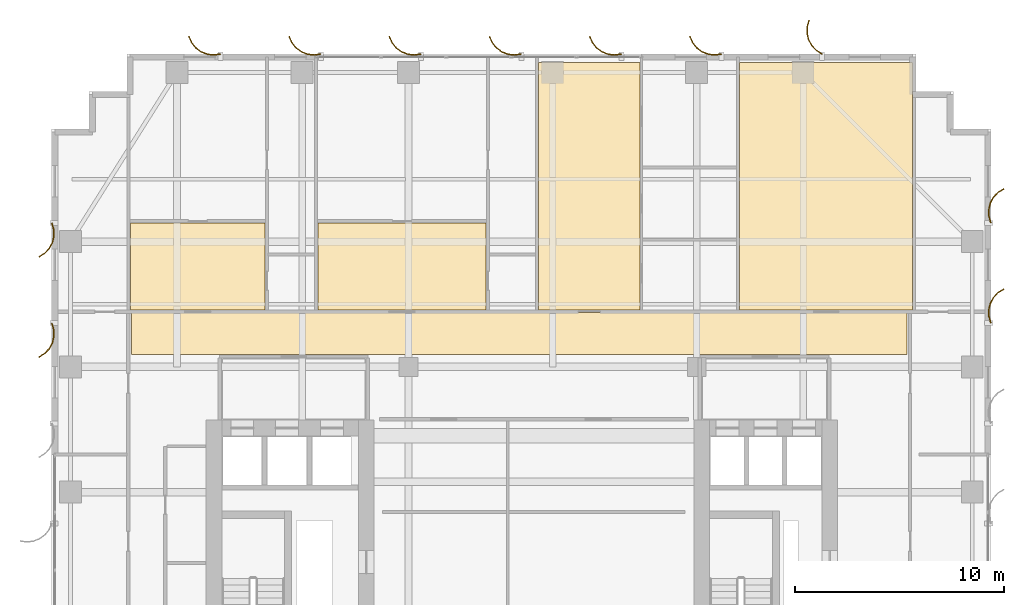
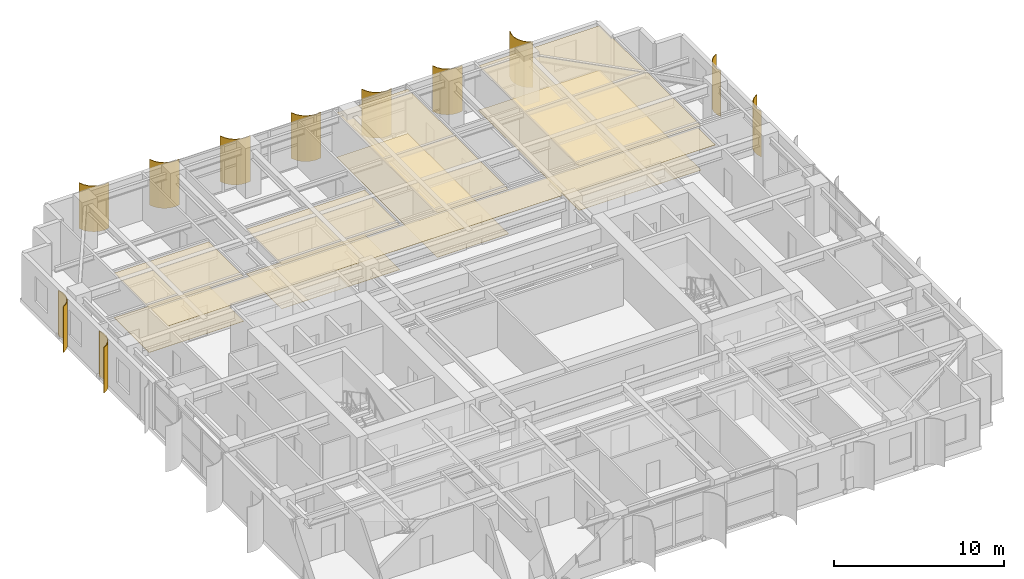
# One storey, part 22 of 22: 11 shading devices, 9 coverings.
"""IFC4 building model written with IfcOpenShell, lengths in metres."""

from ifc_helpers import new_model, si_unit, direction, frame, origin, place, context, subcontext, project, spatial, polyline, outline, extrude, source, transform, mapped, material, layer, layer_set, type_object, element, save


model = new_model("IFC4")

# Units and contexts
model_context = context("Model", 3, precision=1e-05, world=origin(), true_north=direction((0.0, 1.0)))
body_context = subcontext(model_context, "Body", "Model", "MODEL_VIEW")
ifc_project = project(units=[si_unit("LENGTHUNIT", "METRE"), si_unit("AREAUNIT", "SQUARE_METRE"), si_unit("VOLUMEUNIT", "CUBIC_METRE"), si_unit("PLANEANGLEUNIT", "RADIAN"), si_unit("MASSUNIT", "GRAM", prefix="KILO")], contexts=[model_context])

# Site, building, storey
site_placement = place(None, origin())
site = spatial("IfcSite", under=ifc_project, at=site_placement, CompositionType="ELEMENT")
building_placement = place(site_placement, origin())
building = spatial("IfcBuilding", under=site, at=building_placement, Name="Khoralis Quay Care Tower", CompositionType="ELEMENT")
storey_placement = place(building_placement, frame((0.0, 0.0, 98.10009765625)))
storey = spatial("IfcBuildingStorey", under=building, at=storey_placement, Name="L25", CompositionType="ELEMENT", Elevation=98.10009765625)

# Coverings
ifc_material_1 = material(Name="Mineral-fibre acoustic ceiling tile")
ifc_layer_1 = layer(ifc_material_1, 0.01806640625)
ifc_layer_set_1 = layer_set([ifc_layer_1], Name="Mineral-fibre acoustic ceiling tile")
covering_type_1 = type_object("IfcCoveringType", Name="COV-CEIL-AC18", PredefinedType="CEILING", material=ifc_layer_set_1)
covering_1_placement = place(storey_placement, frame((0.0, 0.0, 3.19189453125)))
element("IfcCovering", 1, at=covering_1_placement, inside=storey, type_object=covering_type_1, Name="Suspended Acoustic Ceiling SP-L25-CORR-N", PredefinedType="CEILING", context=body_context, shape_type="SweptSolid", body=[
    extrude(outline(polyline([(3.820068359375, 30.590087890625), (40.97998046875, 30.590087890625), (40.97998046875, 32.60009765625), (3.820068359375, 32.60009765625), (3.820068359375, 30.590087890625)])), origin(), (0.0, 0.0, 1.0), 0.01806640625),
])
covering_2_placement = place(storey_placement, frame((0.0, 0.0, 3.19189453125)))
element("IfcCovering", 2, at=covering_2_placement, inside=storey, type_object=covering_type_1, Name="Suspended Acoustic Ceiling SP-L25-NB-CARE0", PredefinedType="CEILING", context=body_context, shape_type="SweptSolid", body=[
    extrude(outline(polyline([(3.780029296875, 32.739990234375), (10.2099609375, 32.739990234375), (10.2099609375, 36.889892578125), (3.780029296875, 36.889892578125), (3.780029296875, 32.739990234375)])), origin(), (0.0, 0.0, 1.0), 0.01806640625),
])
covering_3_placement = place(storey_placement, frame((0.0, 0.0, 3.19189453125)))
element("IfcCovering", 3, at=covering_3_placement, inside=storey, type_object=covering_type_1, Name="Suspended Acoustic Ceiling SP-L25-NB-CARE1", PredefinedType="CEILING", context=body_context, shape_type="SweptSolid", body=[
    extrude(outline(polyline([(12.760009765625, 32.739990234375), (20.800048828125, 32.739990234375), (20.800048828125, 36.889892578125), (12.760009765625, 36.889892578125), (12.760009765625, 32.739990234375)])), origin(), (0.0, 0.0, 1.0), 0.01806640625),
])
covering_4_placement = place(storey_placement, frame((0.0, 0.0, 3.19189453125)))
element("IfcCovering", 4, at=covering_4_placement, inside=storey, type_object=covering_type_1, Name="Suspended Acoustic Ceiling SP-L25-NB-LIV2", PredefinedType="CEILING", context=body_context, shape_type="SweptSolid", body=[
    extrude(outline(polyline([(23.330078125, 32.719970703125), (28.177978515625, 32.719970703125), (28.177978515625, 44.580078125), (23.330078125, 44.580078125), (23.330078125, 32.719970703125)])), origin(), (0.0, 0.0, 1.0), 0.01806640625),
])
covering_5_placement = place(storey_placement, frame((0.0, 0.0, 3.19189453125)))
element("IfcCovering", 5, at=covering_5_placement, inside=storey, type_object=covering_type_1, Name="Suspended Acoustic Ceiling SP-L25-NB-COM3", PredefinedType="CEILING", context=body_context, shape_type="SweptSolid", body=[
    extrude(outline(polyline([(32.9599609375, 32.719970703125), (41.239990234375, 32.719970703125), (41.239990234375, 44.580078125), (32.9599609375, 44.580078125), (32.9599609375, 32.719970703125)])), origin(), (0.0, 0.0, 1.0), 0.01806640625),
])
ifc_material_2 = material(Name="Porcelain and non-slip vinyl flooring")
ifc_layer_2 = layer(ifc_material_2, 0.02001953125)
ifc_layer_set_2 = layer_set([ifc_layer_2], Name="Porcelain and non-slip vinyl flooring")
covering_type_2 = type_object("IfcCoveringType", Name="COV-FLOOR-20", PredefinedType="FLOORING", material=ifc_layer_set_2)
covering_6_placement = place(storey_placement, origin())
element("IfcCovering", 6, at=covering_6_placement, inside=storey, type_object=covering_type_2, Name="Resilient Healthcare Flooring SP-L25-NB-CARE0", PredefinedType="FLOORING", context=body_context, shape_type="SweptSolid", body=[
    extrude(outline(polyline([(3.780029296875, 32.739990234375), (10.2099609375, 32.739990234375), (10.2099609375, 36.889892578125), (3.780029296875, 36.889892578125), (3.780029296875, 32.739990234375)])), origin(), (0.0, 0.0, 1.0), 0.02001953125),
])
covering_7_placement = place(storey_placement, origin())
element("IfcCovering", 7, at=covering_7_placement, inside=storey, type_object=covering_type_2, Name="Resilient Healthcare Flooring SP-L25-NB-CARE1", PredefinedType="FLOORING", context=body_context, shape_type="SweptSolid", body=[
    extrude(outline(polyline([(12.760009765625, 32.739990234375), (20.800048828125, 32.739990234375), (20.800048828125, 36.889892578125), (12.760009765625, 36.889892578125), (12.760009765625, 32.739990234375)])), origin(), (0.0, 0.0, 1.0), 0.02001953125),
])
covering_8_placement = place(storey_placement, origin())
element("IfcCovering", 8, at=covering_8_placement, inside=storey, type_object=covering_type_2, Name="Resilient Healthcare Flooring SP-L25-NB-LIV2", PredefinedType="FLOORING", context=body_context, shape_type="SweptSolid", body=[
    extrude(outline(polyline([(23.330078125, 32.719970703125), (28.177978515625, 32.719970703125), (28.177978515625, 44.580078125), (23.330078125, 44.580078125), (23.330078125, 32.719970703125)])), origin(), (0.0, 0.0, 1.0), 0.02001953125),
])
covering_9_placement = place(storey_placement, origin())
element("IfcCovering", 9, at=covering_9_placement, inside=storey, type_object=covering_type_2, Name="Resilient Healthcare Flooring SP-L25-NB-COM3", PredefinedType="FLOORING", context=body_context, shape_type="SweptSolid", body=[
    extrude(outline(polyline([(32.9599609375, 32.719970703125), (41.239990234375, 32.719970703125), (41.239990234375, 44.580078125), (32.9599609375, 44.580078125), (32.9599609375, 32.719970703125)])), origin(), (0.0, 0.0, 1.0), 0.02001953125),
])

# Shading devices
ifc_material_3 = material(Name="Brushed pale anodised aluminium", Category="aluminium")
ifc_layer_3 = layer(ifc_material_3, 0.044921875)
ifc_layer_set_3 = layer_set([ifc_layer_3], Name="Brushed pale anodised aluminium")
shading_device_type = type_object("IfcShadingDeviceType", Name="SHD-FIN-1250", PredefinedType="USERDEFINED", material=ifc_layer_set_3)
shared_shape_1 = source(origin(), body_context, "Body", "SweptSolid", [
    extrude(outline(polyline([(0.0, 0.0), (0.17041015625, 0.2783203125), (0.4072265625, 0.5029296875), (0.694091796875, 0.658447265625), (1.01123046875, 0.734619140625), (1.33740234375, 0.72607421875), (1.650390625, 0.633544921875), (1.632080078125, 0.59228515625), (1.330322265625, 0.681640625), (1.015869140625, 0.68994140625), (0.710205078125, 0.616455078125), (0.43359375, 0.466552734375), (0.20556640625, 0.25), (0.041015625, -0.018310546875), (0.0, 0.0)])), origin(), (0.0, 0.0, 1.0), 3.27978515625),
])
shading_device_placement = place(storey_placement, frame((36.89990234375, 44.969970703125, 0.02001953125), z_axis=(0.0, 0.0, 1.0), x_axis=(0.0, 1.0, 0.0)))
element("IfcShadingDevice", 10, at=shading_device_placement, inside=storey, type_object=shading_device_type, Name="L25 Curved Solar Fin P1E10-01", ObjectType="FIN", PredefinedType="USERDEFINED", context=body_context, shape_type="MappedRepresentation", body=[
    mapped(shared_shape_1, transform((0.0, 0.0, 0.0), scale=1.0)),
])
shared_shape_2 = source(origin(), body_context, "Body", "SweptSolid", [
    extrude(outline(polyline([(0.0, 0.0), (-0.04833984375, 0.32275390625), (-0.01123046875, 0.64697265625), (0.1083984375, 0.950439453125), (0.302490234375, 1.212890625), (0.557861328125, 1.416015625), (0.85693359375, 1.546142578125), (0.869384765625, 1.5029296875), (0.5810546875, 1.37744140625), (0.334716796875, 1.181640625), (0.147705078125, 0.9287109375), (0.032470703125, 0.635986328125), (-0.003173828125, 0.323486328125), (0.043212890625, 0.012451171875), (0.0, 0.0)])), origin(), (0.0, 0.0, 1.0), 3.27978515625),
])
for number, where, z_axis, x_axis, name in (
    (11, (32.10009765625, 44.969970703125, 0.02001953125), (0.0, 0.0, 1.0), (0.0, 1.0, 0.0), "L25 Curved Solar Fin P1E10-02"),
    (12, (27.300048828125, 44.969970703125, 0.02001953125), (0.0, 0.0, 1.0), (0.0, 1.0, 0.0), "L25 Curved Solar Fin P1E10-03"),
    (13, (22.5, 44.969970703125, 0.02001953125), (0.0, 0.0, 1.0), (0.0, 1.0, 0.0), "L25 Curved Solar Fin P1E10-04"),
    (14, (17.699951171875, 44.969970703125, 0.02001953125), (0.0, 0.0, 1.0), (0.0, 1.0, 0.0), "L25 Curved Solar Fin P1E10-05"),
    (15, (12.89990234375, 44.969970703125, 0.02001953125), (0.0, 0.0, 1.0), (0.0, 1.0, 0.0), "L25 Curved Solar Fin P1E10-06"),
    (16, (8.10009765625, 44.969970703125, 0.02001953125), (0.0, 0.0, 1.0), (0.0, 1.0, 0.0), "L25 Curved Solar Fin P1E10-07"),
):
    element("IfcShadingDevice", number, at=place(storey_placement, frame(where, z_axis=z_axis, x_axis=x_axis)), inside=storey, type_object=shading_device_type, Name=name, ObjectType="FIN", PredefinedType="USERDEFINED", context=body_context, shape_type="MappedRepresentation", body=[
        mapped(shared_shape_2, transform((0.0, 0.0, 0.0), scale=1.0)),
    ])
shared_shape_3 = source(origin(), body_context, "Body", "SweptSolid", [
    extrude(outline(polyline([(0.0, 0.0), (-0.0927734375, 0.31298828125), (-0.101318359375, 0.63916015625), (-0.025146484375, 0.956298828125), (0.130615234375, 1.2431640625), (0.355224609375, 1.479736328125), (0.633544921875, 1.650390625), (0.65185546875, 1.609130859375), (0.383544921875, 1.44482421875), (0.1669921875, 1.216796875), (0.01708984375, 0.940185546875), (-0.056396484375, 0.63427734375), (-0.04833984375, 0.31982421875), (0.041015625, 0.018310546875), (0.0, 0.0)])), origin(), (0.0, 0.0, 1.0), 3.27978515625),
])
for number, where, z_axis, x_axis, name in (
    (17, (44.969970703125, 32.10009765625, 0.02001953125), (0.0, 0.0, 1.0), (1.0, 0.0, 0.0), "L25 Curved Solar Fin P1E5-06"),
    (18, (44.969970703125, 36.89990234375, 0.02001953125), (0.0, 0.0, 1.0), (1.0, 0.0, 0.0), "L25 Curved Solar Fin P1E5-07"),
    (19, (0.030029296875, 36.89990234375, 0.02001953125), (0.0, 0.0, 1.0), (-1.0, 0.0, 0.0), "L25 Curved Solar Fin P1E15-01"),
    (20, (0.030029296875, 32.10009765625, 0.02001953125), (0.0, 0.0, 1.0), (-1.0, 0.0, 0.0), "L25 Curved Solar Fin P1E15-02"),
):
    element("IfcShadingDevice", number, at=place(storey_placement, frame(where, z_axis=z_axis, x_axis=x_axis)), inside=storey, type_object=shading_device_type, Name=name, ObjectType="FIN", PredefinedType="USERDEFINED", context=body_context, shape_type="MappedRepresentation", body=[
        mapped(shared_shape_3, transform((0.0, 0.0, 0.0), scale=1.0)),
    ])

save(model, "model.ifc")
